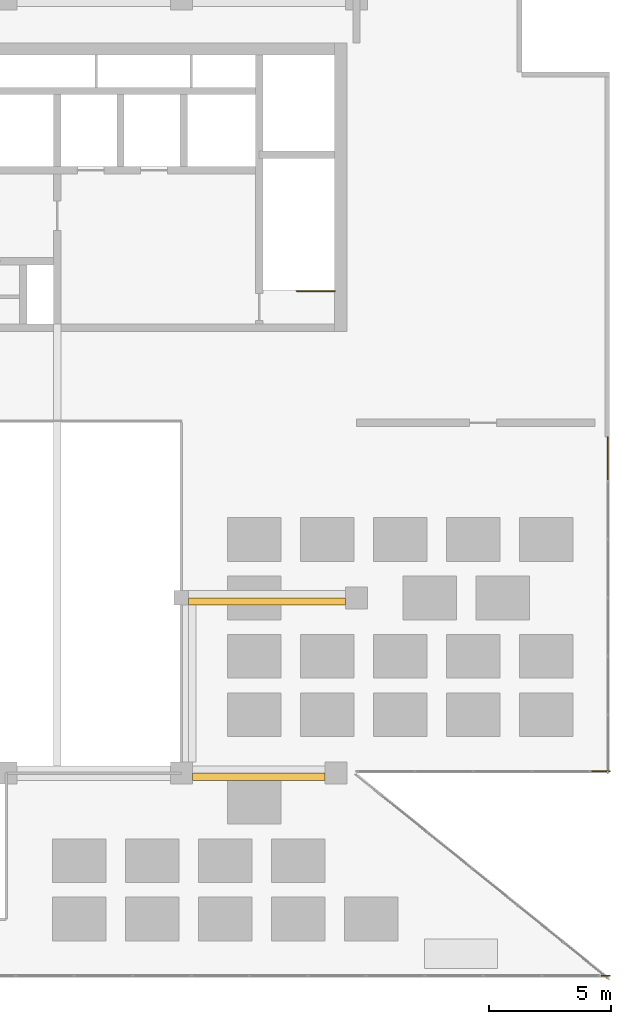
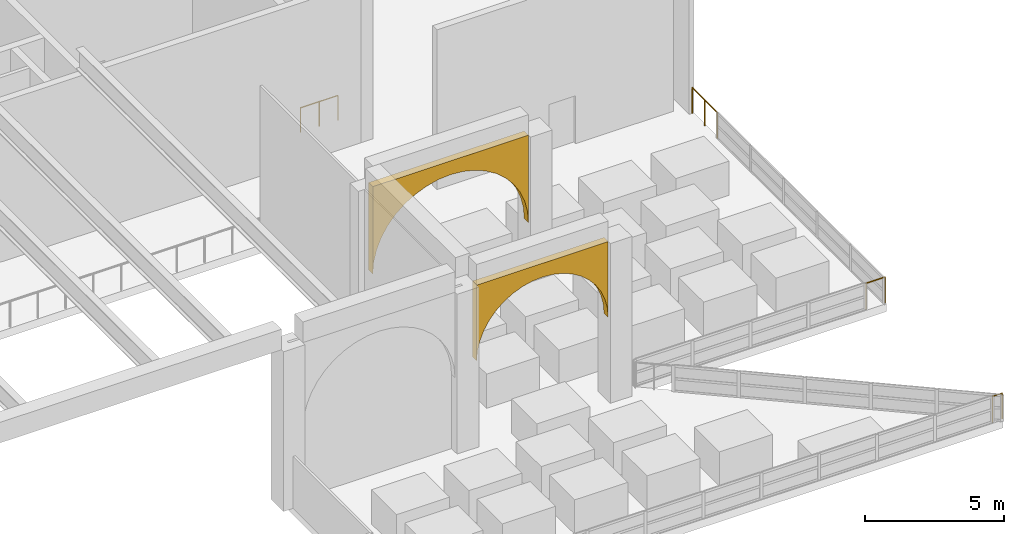
# One storey, part 16 of 17: 4 railings, 2 coverings.
"""IFC4 building model written with IfcOpenShell, lengths in metres."""

from ifc_helpers import new_model, si_unit, direction, frame, origin, origin_2d, place, context, subcontext, project, spatial, polyline, circle, outline, extrude, material, layer, layer_set, type_object, element, save


model = new_model("IFC4")

# Units and contexts
model_context = context("Model", 3, precision=1e-05, world=origin(), true_north=direction((0.0, 1.0)))
body_context = subcontext(model_context, "Body", "Model", "MODEL_VIEW")
ifc_project = project(units=[si_unit("LENGTHUNIT", "METRE"), si_unit("AREAUNIT", "SQUARE_METRE"), si_unit("VOLUMEUNIT", "CUBIC_METRE"), si_unit("PLANEANGLEUNIT", "RADIAN"), si_unit("MASSUNIT", "GRAM", prefix="KILO")], contexts=[model_context])

# Site, building, storey
site_placement = place(None, origin())
site = spatial("IfcSite", under=ifc_project, at=site_placement, CompositionType="ELEMENT")
building_placement = place(site_placement, origin())
building = spatial("IfcBuilding", under=site, at=building_placement, Name="Saffron Iwan Residences", CompositionType="ELEMENT")
storey_placement = place(building_placement, frame((0.0, 0.0, 274.5)))
storey = spatial("IfcBuildingStorey", under=building, at=storey_placement, Name="L74", CompositionType="ELEMENT", Elevation=274.5)

# Coverings
ifc_material_1 = material(Name="Precast concrete C40/50 white painted", Category="concrete")
ifc_layer = layer(ifc_material_1, 0.300048828125)
ifc_layer_set = layer_set([ifc_layer], Name="Precast concrete C40/50 white painted")
covering_type = type_object("IfcCoveringType", Name="ARCADE ARCH PRECAST", PredefinedType="CLADDING", material=ifc_layer_set)
covering_1_placement = place(storey_placement, frame((65.25, 48.0, 3.675048828125), z_axis=(0.0, 1.0, 0.0), x_axis=(0.0, 0.0, 1.0)))
element("IfcCovering", 1, at=covering_1_placement, inside=storey, type_object=covering_type, Name="Arcade arch L74 R0.4", PredefinedType="CLADDING", context=body_context, shape_type="SweptSolid", body=[
    extrude(outline(polyline([(0.0, 0.0), (3.324951171875, 0.0), (3.324951171875, 5.449951171875), (0.0, 5.449951171875), (0.42626953125, 5.41650390625), (0.842041015625, 5.316650390625), (1.237060546875, 5.153076171875), (1.6015625, 4.9296875), (1.9267578125, 4.65185546875), (2.20458984375, 4.32666015625), (2.427978515625, 3.962158203125), (2.591552734375, 3.567138671875), (2.69140625, 3.1513671875), (2.724853515625, 2.72509765625), (2.69140625, 2.298583984375), (2.591552734375, 1.8828125), (2.427978515625, 1.48779296875), (2.20458984375, 1.123291015625), (1.9267578125, 0.798095703125), (1.6015625, 0.5205078125), (1.237060546875, 0.297119140625), (0.842041015625, 0.13330078125), (0.42626953125, 0.033447265625), (0.0, 0.0)])), origin(), (0.0, 0.0, -1.0), 0.300048828125),
])
covering_2_placement = place(storey_placement, frame((65.10009765625, 55.199951171875, 3.175048828125), z_axis=(0.0, 1.0, 0.0), x_axis=(0.0, 0.0, 1.0)))
element("IfcCovering", 2, at=covering_2_placement, inside=storey, type_object=covering_type, Name="Arcade arch L74 R1.2", PredefinedType="CLADDING", context=body_context, shape_type="SweptSolid", body=[
    extrude(outline(polyline([(0.0, 0.0), (3.824951171875, 0.0), (3.824951171875, 6.449951171875), (0.0, 6.449951171875), (0.50439453125, 6.41015625), (0.99658203125, 6.2919921875), (1.464111328125, 6.098388671875), (1.8955078125, 5.833984375), (2.2802734375, 5.50537109375), (2.609130859375, 5.12060546875), (2.87353515625, 4.68896484375), (3.067138671875, 4.221435546875), (3.185302734375, 3.7294921875), (3.224853515625, 3.224853515625), (3.185302734375, 2.720458984375), (3.067138671875, 2.228271484375), (2.87353515625, 1.7607421875), (2.609130859375, 1.329345703125), (2.2802734375, 0.944580078125), (1.8955078125, 0.61572265625), (1.464111328125, 0.351318359375), (0.99658203125, 0.15771484375), (0.50439453125, 0.03955078125), (0.0, 0.0)])), origin(), (0.0, 0.0, -1.0), 0.300048828125),
])

# Railings
ifc_material_2 = material(Name="Steel S355", Category="steel")
railing_type_1 = type_object("IfcRailingType", Name="Stair guard 1100", PredefinedType="GUARDRAIL", material=ifc_material_2)
railing_1_placement = place(storey_placement, frame((71.10009765625, 67.800048828125, 0.0)))
element("IfcRailing", 3, at=railing_1_placement, inside=storey, type_object=railing_type_1, Name="L74 ST-E top well guard 1", PredefinedType="GUARDRAIL", context=body_context, shape_type="SweptSolid", body=[
    extrude(circle(Radius=0.02392578125, at=origin_2d()), frame((0.0, 0.0, 1.076171875), z_axis=(-1.0, 0.0, 0.0), x_axis=(0.0, -1.0, 0.0)), (0.0, 0.0, 1.0), 1.550048828125),
    extrude(circle(Radius=0.02099609375, at=origin_2d()), origin(), (0.0, 0.0, 1.0), 1.052001953125),
    extrude(circle(Radius=0.02099609375, at=origin_2d()), frame((-0.77490234375, 0.0, 0.0)), (0.0, 0.0, 1.0), 1.052001953125),
    extrude(circle(Radius=0.02099609375, at=origin_2d()), frame((-1.550048828125, 0.0, 0.0)), (0.0, 0.0, 1.0), 1.052001953125),
])
ifc_material_3 = material(Name="Stainless steel 316", Category="steel")
railing_type_2 = type_object("IfcRailingType", Name="TERRACE GUARD 1150", PredefinedType="BALUSTRADE", material=ifc_material_3)
railing_2_placement = place(storey_placement, frame((81.60009765625, 48.074951171875, 0.0)))
element("IfcRailing", 4, at=railing_2_placement, inside=storey, type_object=railing_type_2, Name="Roof terrace guard F1.3", PredefinedType="BALUSTRADE", context=body_context, shape_type="SweptSolid", body=[
    extrude(circle(Radius=0.02392578125, at=origin_2d()), frame((0.0, 0.0, 1.1259765625), z_axis=(1.0, 0.0, 0.0), x_axis=(0.0, 1.0, 0.0)), (0.0, 0.0, 1.0), 0.7998046875),
    extrude(circle(Radius=0.02099609375, at=origin_2d()), origin(), (0.0, 0.0, 1.0), 1.101806640625),
    extrude(circle(Radius=0.02099609375, at=origin_2d()), frame((0.7998046875, 0.0, 0.0)), (0.0, 0.0, 1.0), 1.101806640625),
])
railing_3_placement = place(storey_placement, frame((82.324951171875, 60.0, 0.0)))
element("IfcRailing", 5, at=railing_3_placement, inside=storey, type_object=railing_type_2, Name="Roof terrace guard F2.5", PredefinedType="BALUSTRADE", context=body_context, shape_type="SweptSolid", body=[
    extrude(circle(Radius=0.02392578125, at=origin_2d()), frame((0.0, 0.0, 1.1259765625), z_axis=(0.0, 1.0, 0.0), x_axis=(-1.0, 0.0, 0.0)), (0.0, 0.0, 1.0), 1.800048828125),
    extrude(circle(Radius=0.02099609375, at=origin_2d()), origin(), (0.0, 0.0, 1.0), 1.101806640625),
    extrude(circle(Radius=0.02099609375, at=origin_2d()), frame((0.0, 0.89990234375, 0.0)), (0.0, 0.0, 1.0), 1.101806640625),
    extrude(circle(Radius=0.02099609375, at=origin_2d()), frame((0.0, 1.800048828125, 0.0)), (0.0, 0.0, 1.0), 1.101806640625),
])
railing_4_placement = place(storey_placement, frame((82.0, 39.675048828125, 0.0)))
element("IfcRailing", 6, at=railing_4_placement, inside=storey, type_object=railing_type_2, Name="Roof terrace guard F11.13", PredefinedType="BALUSTRADE", context=body_context, shape_type="SweptSolid", body=[
    extrude(circle(Radius=0.02392578125, at=origin_2d()), frame((0.0, 0.0, 1.1259765625), z_axis=(1.0, 0.0, 0.0), x_axis=(0.0, 1.0, 0.0)), (0.0, 0.0, 1.0), 0.39990234375),
    extrude(circle(Radius=0.02099609375, at=origin_2d()), origin(), (0.0, 0.0, 1.0), 1.101806640625),
    extrude(circle(Radius=0.02099609375, at=origin_2d()), frame((0.39990234375, 0.0, 0.0)), (0.0, 0.0, 1.0), 1.101806640625),
])

save(model, "model.ifc")
